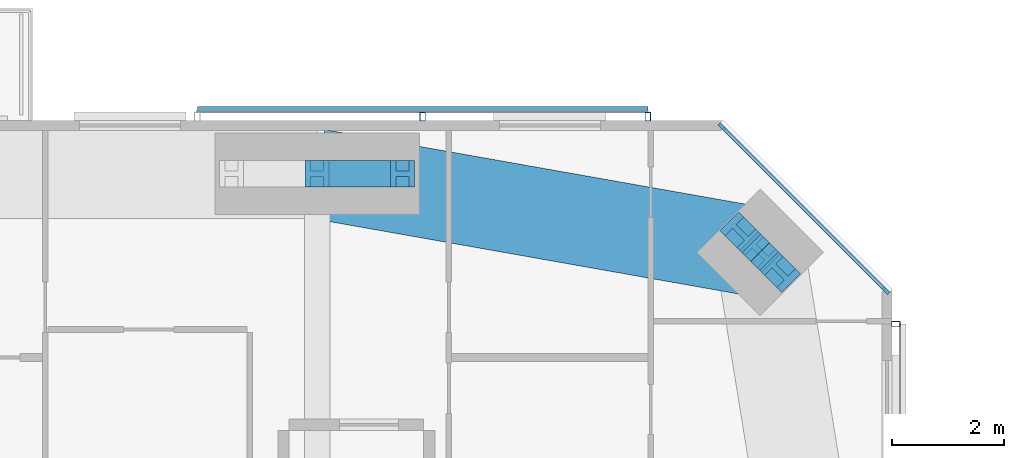
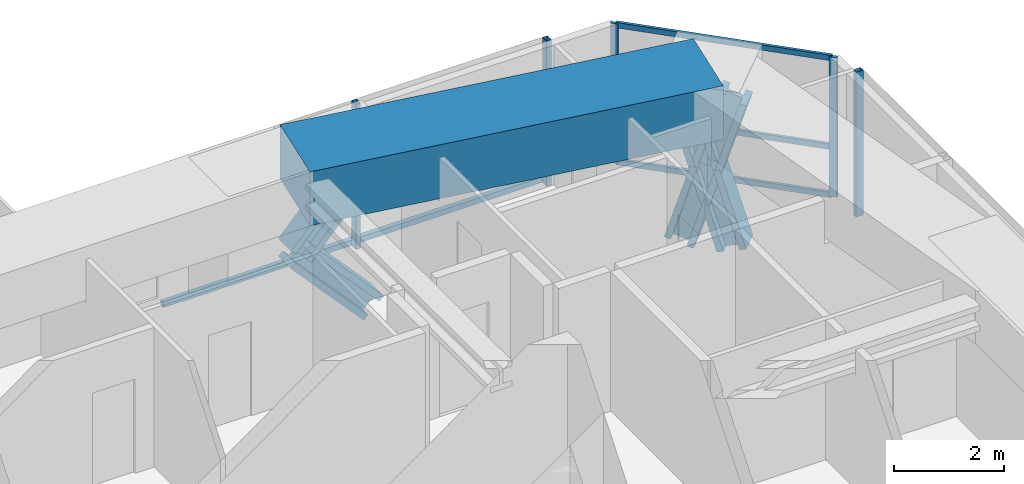
# One storey, part 13 of 23: 15 members, 1 beam, 3 elements without a shape of their own.
"""IFC4 building model written with IfcOpenShell, lengths in metres."""

from ifc_helpers import new_model, si_unit, direction, frame, origin, origin_2d, place, context, subcontext, project, spatial, rectangle, hollow_rectangle, i_section, extrude, material, material_profile, profile_set, type_object, element, aggregate, save


model = new_model("IFC4")

# Units and contexts
model_context = context("Model", 3, precision=1e-05, world=origin(), true_north=direction((0.0, 1.0)))
body_context = subcontext(model_context, "Body", "Model", "MODEL_VIEW")
ifc_project = project(units=[si_unit("LENGTHUNIT", "METRE"), si_unit("AREAUNIT", "SQUARE_METRE"), si_unit("VOLUMEUNIT", "CUBIC_METRE"), si_unit("PLANEANGLEUNIT", "RADIAN"), si_unit("MASSUNIT", "GRAM", prefix="KILO")], contexts=[model_context])

# Site, building, storey
site_placement = place(None, origin())
site = spatial("IfcSite", under=ifc_project, at=site_placement, CompositionType="ELEMENT")
building_placement = place(site_placement, origin())
building = spatial("IfcBuilding", under=site, at=building_placement, Name="Jalousie Tower", CompositionType="ELEMENT")
storey_placement = place(building_placement, frame((0.0, 0.0, 197.89990234375)))
storey = spatial("IfcBuildingStorey", under=building, at=storey_placement, Name="L54", CompositionType="ELEMENT", Elevation=197.89990234375)

# Curtain wall, members
ifc_material_1 = material(Name="Aluminium curtain wall", Category="aluminium")
curtain_wall_type_1 = type_object("IfcCurtainWallType", Name="CORNER WINDOW WALL", PredefinedType="USERDEFINED", material=ifc_material_1)
curtain_wall_1_placement = place(storey_placement, origin())
curtain_wall_1 = element("IfcCurtainWall", 1, at=curtain_wall_1_placement, inside=storey, type_object=curtain_wall_type_1, Name="Corner Window Wall L54 4", ObjectType="CORNER WINDOW WALL", PredefinedType="USERDEFINED")
ifc_material_2 = material(Name="Aluminium mullion", Category="aluminium")
ifc_material_profile_1 = material_profile(ifc_material_2, rectangle(XDim=0.06005859375, YDim=0.14990234375, at=origin_2d()), Name="MULLION 60x150")
ifc_profile_set_1 = profile_set([ifc_material_profile_1], Name="Aluminium mullion")
member_type_1 = type_object("IfcMemberType", Name="CORNER WINDOW WALL MULLION", PredefinedType="MULLION", material=ifc_profile_set_1)
member_1_placement = place(storey_placement, frame((52.891357421875, 32.969970703125, 0.0), z_axis=(0.0, 0.0, 1.0), x_axis=(-0.707106781187, -0.707106781187, 0.0)))
member_1 = element("IfcMember", 2, at=member_1_placement, type_object=member_type_1, Name="CW-C mullion 1", PredefinedType="MULLION", context=body_context, shape_type="SweptSolid", body=[
    extrude(rectangle(XDim=0.06005859375, YDim=0.14990234375, at=origin_2d()), origin(), (0.0, 0.0, 1.0), 3.110107421875),
])
member_2_placement = place(storey_placement, frame((49.969970703125, 35.891357421875, 0.0), z_axis=(0.0, 0.0, 1.0), x_axis=(-0.707106781187, -0.707106781187, 0.0)))
member_2 = element("IfcMember", 3, at=member_2_placement, type_object=member_type_1, Name="CW-C mullion 2", PredefinedType="MULLION", context=body_context, shape_type="SweptSolid", body=[
    extrude(rectangle(XDim=0.06005859375, YDim=0.14990234375, at=origin_2d()), origin(), (0.0, 0.0, 1.0), 3.110107421875),
])
ifc_material_3 = material(Name="Aluminium transom", Category="aluminium")
ifc_material_profile_2 = material_profile(ifc_material_3, rectangle(XDim=0.06005859375, YDim=0.1201171875, at=origin_2d()), Name="TRANSOM 60x120")
ifc_profile_set_2 = profile_set([ifc_material_profile_2], Name="Aluminium transom")
member_type_2 = type_object("IfcMemberType", Name="CORNER WINDOW WALL TRANSOM", PredefinedType="USERDEFINED", material=ifc_profile_set_2)
member_3_placement = place(storey_placement, frame((52.8701171875, 32.9912109375, 0.030029296875), z_axis=(-0.707106781187, 0.707106781187, 0.0), x_axis=(-0.707106781187, -0.707106781187, 0.0)))
member_3 = element("IfcMember", 4, at=member_3_placement, type_object=member_type_2, Name="CW-C transom 1.1", ObjectType="TRANSOM", PredefinedType="USERDEFINED", context=body_context, shape_type="SweptSolid", body=[
    extrude(rectangle(XDim=0.06005859375, YDim=0.1201171875, at=origin_2d()), origin(), (0.0, 0.0, 1.0), 4.0712890625),
])
member_4_placement = place(storey_placement, frame((52.8701171875, 32.9912109375, 1.10009765625), z_axis=(-0.707106781187, 0.707106781187, 0.0), x_axis=(-0.707106781187, -0.707106781187, 0.0)))
member_4 = element("IfcMember", 5, at=member_4_placement, type_object=member_type_2, Name="CW-C transom 1.2", ObjectType="TRANSOM", PredefinedType="USERDEFINED", context=body_context, shape_type="SweptSolid", body=[
    extrude(rectangle(XDim=0.06005859375, YDim=0.1201171875, at=origin_2d()), origin(), (0.0, 0.0, 1.0), 4.0712890625),
])
member_5_placement = place(storey_placement, frame((52.8701171875, 32.9912109375, 3.080078125), z_axis=(-0.707106781187, 0.707106781187, 0.0), x_axis=(-0.707106781187, -0.707106781187, 0.0)))
member_5 = element("IfcMember", 6, at=member_5_placement, type_object=member_type_2, Name="CW-C transom 1.3", ObjectType="TRANSOM", PredefinedType="USERDEFINED", context=body_context, shape_type="SweptSolid", body=[
    extrude(rectangle(XDim=0.06005859375, YDim=0.1201171875, at=origin_2d()), origin(), (0.0, 0.0, 1.0), 4.0712890625),
])
aggregate(curtain_wall_1, [member_1, member_2, member_3, member_4, member_5])

# Members
ifc_material_4 = material(Name="Steel ASTM A992 Grade 50", Category="steel")
ifc_material_profile_3 = material_profile(ifc_material_4, i_section(OverallWidth=0.472412109375, OverallDepth=0.5791015625, WebThickness=0.094970703125, FlangeThickness=0.1298828125, at=origin_2d()), Name="W14X808")
ifc_profile_set_3 = profile_set([ifc_material_profile_3], Name="Steel ASTM A992 Grade 50")
member_type_3 = type_object("IfcMemberType", Name="PERIMETER BRACE W14X808", PredefinedType="BRACE", material=ifc_profile_set_3)
member_6_placement = place(storey_placement, frame((51.0048828125, 33.2978515625, -0.599853515625), z_axis=(-0.202092742837, 0.202372069365, 0.958229653493), x_axis=(-0.707594945859, -0.706618279267, 0.0)))
element("IfcMember", 7, at=member_6_placement, inside=storey, type_object=member_type_3, Name="Perimeter brace 08 L54 part 1", PredefinedType="BRACE", context=body_context, shape_type="SweptSolid", body=[
    extrude(i_section(OverallWidth=0.472412109375, OverallDepth=0.5791015625, WebThickness=0.094970703125, FlangeThickness=0.1298828125, at=origin_2d()), origin(), (0.0, 0.0, 1.0), 1.748046875),
])
member_7_placement = place(storey_placement, frame((50.651611328125, 33.651611328125, 1.0751953125), z_axis=(-0.202399156177, 0.202119792263, 0.958218227313), x_axis=(-0.706618279267, -0.707594945859, 0.0)))
element("IfcMember", 8, at=member_7_placement, inside=storey, type_object=member_type_3, Name="Perimeter brace 08 L54 part 2", PredefinedType="BRACE", context=body_context, shape_type="SweptSolid", body=[
    extrude(i_section(OverallWidth=0.472412109375, OverallDepth=0.5791015625, WebThickness=0.094970703125, FlangeThickness=0.1298828125, at=origin_2d()), origin(), (0.0, 0.0, 1.0), 1.747802734375),
])
member_8_placement = place(storey_placement, frame((50.2978515625, 34.0048828125, -0.599853515625), z_axis=(0.202372069365, -0.202092742837, 0.958229653493), x_axis=(0.706618279267, 0.707594945859, 0.0)))
element("IfcMember", 9, at=member_8_placement, inside=storey, type_object=member_type_3, Name="Perimeter brace 08 L54 part 3", PredefinedType="BRACE", context=body_context, shape_type="SweptSolid", body=[
    extrude(i_section(OverallWidth=0.472412109375, OverallDepth=0.5791015625, WebThickness=0.094970703125, FlangeThickness=0.1298828125, at=origin_2d()), origin(), (0.0, 0.0, 1.0), 1.748046875),
])
member_9_placement = place(storey_placement, frame((50.651611328125, 33.651611328125, 1.0751953125), z_axis=(0.202119792263, -0.202399156177, 0.958218227313), x_axis=(0.707594945859, 0.706618279267, 0.0)))
element("IfcMember", 10, at=member_9_placement, inside=storey, type_object=member_type_3, Name="Perimeter brace 08 L54 part 4", PredefinedType="BRACE", context=body_context, shape_type="SweptSolid", body=[
    extrude(i_section(OverallWidth=0.472412109375, OverallDepth=0.5791015625, WebThickness=0.094970703125, FlangeThickness=0.1298828125, at=origin_2d()), origin(), (0.0, 0.0, 1.0), 1.747802734375),
])
for number, where, z_axis, x_axis, name in (
    (11, (42.75, 35.050048828125, 1.0751953125), (0.673241284601, 0.0, 0.739422864611), (0.0, 1.0, 0.0), "Perimeter brace 09 L54 part 2"),
    (12, (44.27490234375, 35.050048828125, -0.599853515625), (-0.673187629365, 0.0, 0.739471713908), (0.0, -1.0, 0.0), "Perimeter brace 09 L54 part 3"),
):
    element("IfcMember", number, at=place(storey_placement, frame(where, z_axis=z_axis, x_axis=x_axis)), inside=storey, type_object=member_type_3, Name=name, PredefinedType="BRACE", context=body_context, shape_type="SweptSolid", body=[
        extrude(i_section(OverallWidth=0.472412109375, OverallDepth=0.5791015625, WebThickness=0.094970703125, FlangeThickness=0.1298828125, at=origin_2d()), origin(), (0.0, 0.0, 1.0), 2.26513671875),
    ])

# Beam
ifc_material_5 = material(Name="Concrete f'c 40 MPa", Category="concrete")
ifc_material_profile_4 = material_profile(ifc_material_5, rectangle(XDim=1.60009765625, YDim=1.199951171875, at=origin_2d()), Name="RC 1600x1200")
ifc_profile_set_4 = profile_set([ifc_material_profile_4], Name="Concrete f'c 40 MPa")
beam_type = type_object("IfcBeamType", Name="RC BEAM 1600x1200", PredefinedType="BEAM", material=ifc_profile_set_4)
beam_placement = place(storey_placement, frame((50.651611328125, 33.651611328125, 2.75), z_axis=(-0.984697370688, 0.174273027632, 0.0), x_axis=(-0.174273027632, -0.984697370688, 0.0)))
element("IfcBeam", 13, at=beam_placement, inside=storey, type_object=beam_type, Name="Edge band beam 08-09 under L55", PredefinedType="BEAM", context=body_context, shape_type="SweptSolid", body=[
    extrude(rectangle(XDim=1.60009765625, YDim=1.199951171875, at=origin_2d()), origin(), (0.0, 0.0, 1.0), 8.0244140625),
])

# Curtain wall, member
ifc_material_6 = material(Name="Perforated aluminium sheet", Category="aluminium")
curtain_wall_type_2 = type_object("IfcCurtainWallType", Name="SOLAR SCREEN SS-1", PredefinedType="USERDEFINED", material=ifc_material_6)
curtain_wall_2_placement = place(storey_placement, origin())
curtain_wall_2 = element("IfcCurtainWall", 14, at=curtain_wall_2_placement, inside=storey, type_object=curtain_wall_type_2, Name="Solar screen L54", ObjectType="SOLAR SCREEN SS-1", PredefinedType="USERDEFINED")
ifc_material_7 = material(Name="Steel ASTM A500 Grade C", Category="steel")
ifc_material_profile_5 = material_profile(ifc_material_7, hollow_rectangle(XDim=0.1015625, YDim=0.15234375, WallThickness=0.00634765625, at=origin_2d()), Name="HSS6X4X1/4")
ifc_profile_set_5 = profile_set([ifc_material_profile_5], Name="Steel ASTM A500 Grade C")
member_type_4 = type_object("IfcMemberType", Name="SOLAR SCREEN SS-1 MULLION", PredefinedType="MULLION", material=ifc_profile_set_5)
member_10_placement = place(storey_placement, frame((53.0712890625, 32.3701171875, -0.119873046875), z_axis=(0.0, 0.0, 1.0), x_axis=(0.0, 1.0, 0.0)))
member_10 = element("IfcMember", 15, at=member_10_placement, type_object=member_type_4, Name="SS1 post 2", PredefinedType="MULLION", context=body_context, shape_type="SweptSolid", body=[
    extrude(hollow_rectangle(XDim=0.1015625, YDim=0.15234375, WallThickness=0.00634765625, at=origin_2d()), origin(), (0.0, 0.0, 1.0), 3.22998046875),
])
aggregate(curtain_wall_2, [member_10])

# Curtain wall, members
curtain_wall_3_placement = place(storey_placement, origin())
curtain_wall_3 = element("IfcCurtainWall", 16, at=curtain_wall_3_placement, inside=storey, type_object=curtain_wall_type_2, Name="Solar screen L54", ObjectType="SOLAR SCREEN SS-1", PredefinedType="USERDEFINED")
member_11_placement = place(storey_placement, frame((48.64990234375, 36.0712890625, -0.119873046875), z_axis=(0.0, 0.0, 1.0), x_axis=(-1.0, 0.0, 0.0)))
member_11 = element("IfcMember", 17, at=member_11_placement, type_object=member_type_4, Name="SS1 post 1", PredefinedType="MULLION", context=body_context, shape_type="SweptSolid", body=[
    extrude(hollow_rectangle(XDim=0.1015625, YDim=0.15234375, WallThickness=0.00634765625, at=origin_2d()), origin(), (0.0, 0.0, 1.0), 3.22998046875),
])
member_12_placement = place(storey_placement, frame((44.631103515625, 36.0712890625, -0.119873046875), z_axis=(0.0, 0.0, 1.0), x_axis=(-1.0, 0.0, 0.0)))
member_12 = element("IfcMember", 18, at=member_12_placement, type_object=member_type_4, Name="SS1 post 2", PredefinedType="MULLION", context=body_context, shape_type="SweptSolid", body=[
    extrude(hollow_rectangle(XDim=0.1015625, YDim=0.15234375, WallThickness=0.00634765625, at=origin_2d()), origin(), (0.0, 0.0, 1.0), 3.22998046875),
])
ifc_material_8 = material(Name="Extruded aluminium screen rail", Category="aluminium")
ifc_material_profile_6 = material_profile(ifc_material_8, rectangle(XDim=0.1015625, YDim=0.1201171875, at=origin_2d()), Name="RAIL 102x120")
ifc_profile_set_6 = profile_set([ifc_material_profile_6], Name="Extruded aluminium screen rail")
member_type_5 = type_object("IfcMemberType", Name="SOLAR SCREEN SS-1 TRANSOM", PredefinedType="USERDEFINED", material=ifc_profile_set_6)
member_13_placement = place(storey_placement, frame((48.64990234375, 36.1982421875, -0.059814453125), z_axis=(-1.0, 0.0, 0.0), x_axis=(0.0, -1.0, 0.0)))
member_13 = element("IfcMember", 19, at=member_13_placement, type_object=member_type_5, Name="SS1 rail", ObjectType="TRANSOM", PredefinedType="USERDEFINED", context=body_context, shape_type="SweptSolid", body=[
    extrude(rectangle(XDim=0.1015625, YDim=0.1201171875, at=origin_2d()), origin(), (0.0, 0.0, 1.0), 8.037353515625),
])
aggregate(curtain_wall_3, [member_11, member_12, member_13])

save(model, "model.ifc")
